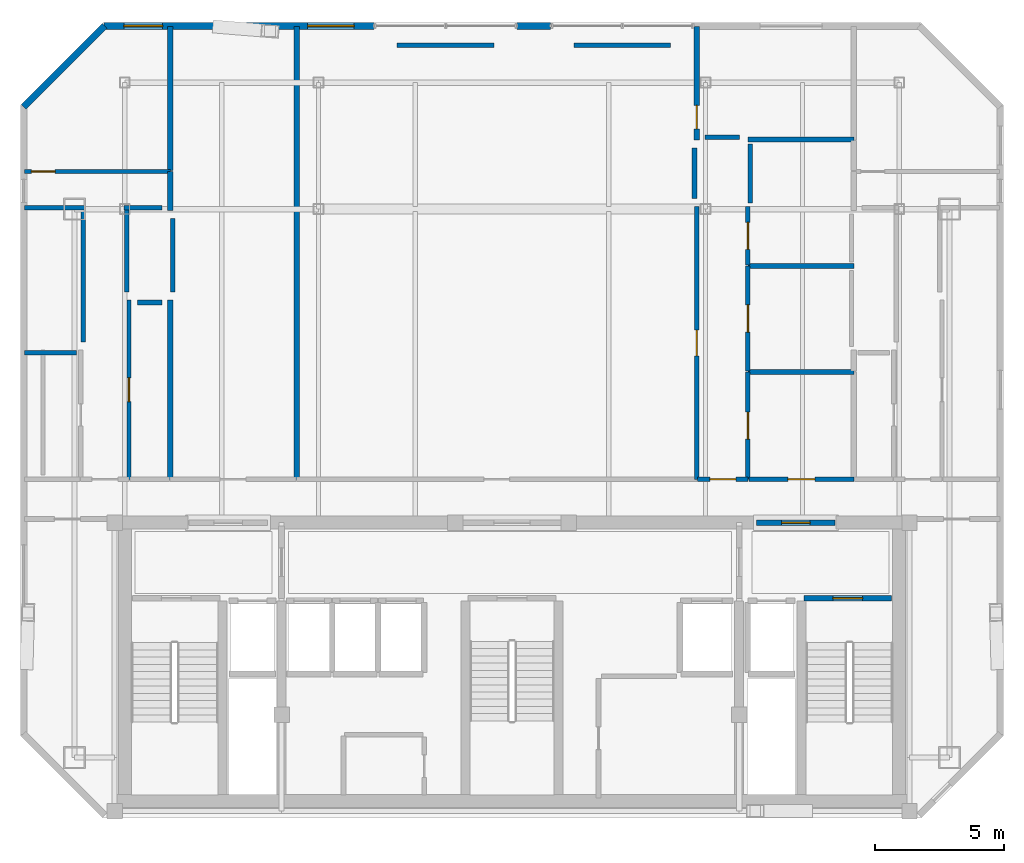
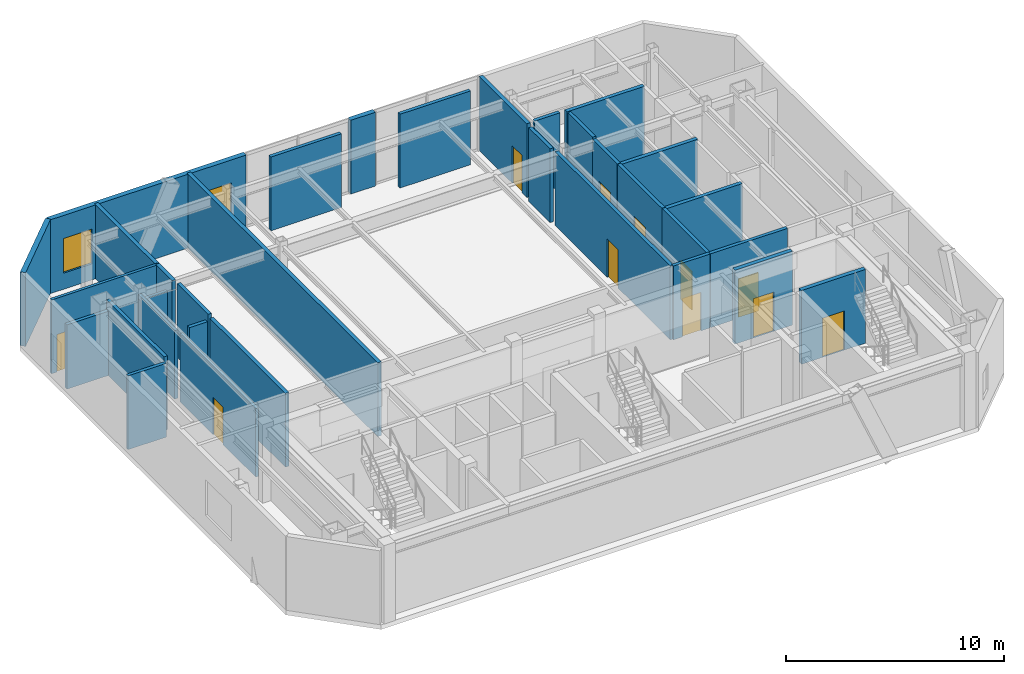
# One storey, part 7 of 10: 33 walls, 11 doors, 2 windows, 13 openings.
"""IFC4 building model written with IfcOpenShell, lengths in metres."""

from ifc_helpers import new_model, si_unit, direction, frame, frame_2d, origin, place, context, subcontext, project, spatial, rectangle, extrude, material, layer, layer_set, type_object, element, fill, save


model = new_model("IFC4")

# Units and contexts
model_context = context("Model", 3, precision=1e-05, world=origin(), true_north=direction((0.0, 1.0)))
body_context = subcontext(model_context, "Body", "Model", "MODEL_VIEW")
ifc_project = project(units=[si_unit("LENGTHUNIT", "METRE"), si_unit("AREAUNIT", "SQUARE_METRE"), si_unit("VOLUMEUNIT", "CUBIC_METRE"), si_unit("PLANEANGLEUNIT", "RADIAN"), si_unit("MASSUNIT", "GRAM", prefix="KILO")], contexts=[model_context])

# Site, building, storey
site_placement = place(None, origin())
site = spatial("IfcSite", under=ifc_project, at=site_placement, CompositionType="ELEMENT")
building_placement = place(site_placement, origin())
building = spatial("IfcBuilding", under=site, at=building_placement, Name="Ventersveld Concourse Tower", CompositionType="ELEMENT")
storey_placement = place(building_placement, frame((0.0, 0.0, 357.85009765625)))
storey = spatial("IfcBuildingStorey", under=building, at=storey_placement, Name="L88", CompositionType="ELEMENT", Elevation=357.85009765625)

# Wall, opening, door
ifc_material_1 = material(Name="Fire-rated autoclaved aerated masonry blockwork", Category="masonry")
ifc_layer_1 = layer(ifc_material_1, 0.179931640625)
ifc_layer_set_1 = layer_set([ifc_layer_1], Name="Fire-rated autoclaved aerated masonry blockwork")
wall_type_1 = type_object("IfcWallType", Name="WL-CORR-180", PredefinedType="PARTITIONING", material=ifc_layer_set_1)
wall_1_placement = place(storey_placement, frame((35.945068359375, 13.135009765625, 0.0), z_axis=(0.0, 0.0, 1.0), x_axis=(1.0, 0.0, 0.0)))
wall_1 = element("IfcWall", 1, at=wall_1_placement, inside=storey, type_object=wall_type_1, Name="L88 Interior Partition SP-L88-COR-SP-L88-WCLOB", PredefinedType="PARTITIONING", context=body_context, shape_type="SweptSolid", body=[
    extrude(rectangle(XDim=1.949951171875, YDim=0.179931640625, at=frame_2d((0.97509765625, 0.0))), origin(), (0.0, 0.0, 1.0), 4.139892578125),
])
opening_1_placement = place(wall_1_placement, frame((0.47509765625, 0.0, 0.0)))
opening_1 = element("IfcOpeningElement", 2, at=opening_1_placement, cuts=wall_1, Name="Opening FD3", PredefinedType="OPENING", context=body_context, shape_type="SweptSolid", body=[
    extrude(rectangle(XDim=1.0, YDim=2.14990234375, at=frame_2d((0.5, 1.074951171875))), frame((0.0, 0.10009765625, 0.0), z_axis=(0.0, -1.0, 0.0), x_axis=(1.0, 0.0, 0.0)), (0.0, 0.0, 1.0), 0.199951171875),
])
ifc_material_2 = material(Name="Solid-core hardwood veneer timber", Category="wood")
door_type_1 = type_object("IfcDoorType", Name="DR-FLAT-100", OperationType="NOTDEFINED", PredefinedType="DOOR", material=ifc_material_2)
door_1_placement = place(opening_1_placement, origin())
door_1 = element("IfcDoor", 3, at=door_1_placement, inside=storey, type_object=door_type_1, Name="L88 Interior Door SP-L88-COR to SP-L88-WCLOB (D-L88-3913)", OperationType="SINGLE_SWING_LEFT", OverallHeight=2.14990234375, OverallWidth=1.0, PredefinedType="DOOR", context=body_context, shape_type="SweptSolid", body=[
    extrude(rectangle(XDim=1.0, YDim=2.14990234375, at=frame_2d((0.5, 1.074951171875))), frame((0.0, 0.02490234375, 0.0), z_axis=(0.0, -1.0, 0.0), x_axis=(1.0, 0.0, 0.0)), (0.0, 0.0, 1.0), 0.050048828125),
])
fill(opening_1, door_1)

wall_2_placement = place(storey_placement, frame((37.925048828125, 13.135009765625, 0.0), z_axis=(0.0, 0.0, 1.0), x_axis=(1.0, 0.0, 0.0)))
wall_2 = element("IfcWall", 4, at=wall_2_placement, inside=storey, type_object=wall_type_1, Name="L88 Interior Partition SP-L88-COR-SP-L88-MWC", PredefinedType="PARTITIONING", context=body_context, shape_type="SweptSolid", body=[
    extrude(rectangle(XDim=4.070068359375, YDim=0.179931640625, at=frame_2d((2.03515625, 0.0))), origin(), (0.0, 0.0, 1.0), 4.139892578125),
])
opening_2_placement = place(wall_2_placement, frame((1.510009765625, 0.0, 0.0)))
opening_2 = element("IfcOpeningElement", 5, at=opening_2_placement, cuts=wall_2, Name="Opening ID3", PredefinedType="OPENING", context=body_context, shape_type="SweptSolid", body=[
    extrude(rectangle(XDim=1.050048828125, YDim=2.14990234375, at=frame_2d((0.52490234375, 1.074951171875))), frame((0.0, 0.10009765625, 0.0), z_axis=(0.0, -1.0, 0.0), x_axis=(1.0, 0.0, 0.0)), (0.0, 0.0, 1.0), 0.199951171875),
])
door_type_2 = type_object("IfcDoorType", Name="DR-AWC-105", OperationType="NOTDEFINED", PredefinedType="DOOR", material=ifc_material_2)
door_2_placement = place(opening_2_placement, origin())
door_2 = element("IfcDoor", 6, at=door_2_placement, inside=storey, type_object=door_type_2, Name="L88 Interior Door SP-L88-COR to SP-L88-MWC (WD-L88-3914)", OperationType="SINGLE_SWING_RIGHT", OverallHeight=2.14990234375, OverallWidth=1.050048828125, PredefinedType="DOOR", context=body_context, shape_type="SweptSolid", body=[
    extrude(rectangle(XDim=1.050048828125, YDim=2.14990234375, at=frame_2d((0.52490234375, 1.074951171875))), frame((0.0, 0.02490234375, 0.0), z_axis=(0.0, -1.0, 0.0), x_axis=(1.0, 0.0, 0.0)), (0.0, 0.0, 1.0), 0.050048828125),
])
fill(opening_2, door_2)

wall_3_placement = place(storey_placement, frame((35.909912109375, 13.125, 0.0), z_axis=(0.0, 0.0, 1.0), x_axis=(0.0, 1.0, 0.0)))
wall_3 = element("IfcWall", 7, at=wall_3_placement, inside=storey, type_object=wall_type_1, Name="L88 Interior Partition SP-L88-SLNG-SP-L88-WCLOB", PredefinedType="PARTITIONING", context=body_context, shape_type="SweptSolid", body=[
    extrude(rectangle(XDim=10.570068359375, YDim=0.179931640625, at=frame_2d((5.28515625, 0.0))), origin(), (0.0, 0.0, 1.0), 4.139892578125),
])
opening_3_placement = place(wall_3_placement, frame((4.784912109375, 0.0, 0.0)))
opening_3 = element("IfcOpeningElement", 8, at=opening_3_placement, cuts=wall_3, Name="Opening FD3", PredefinedType="OPENING", context=body_context, shape_type="SweptSolid", body=[
    extrude(rectangle(XDim=1.0, YDim=2.14990234375, at=frame_2d((0.5, 1.074951171875))), frame((0.0, 0.10009765625, 0.0), z_axis=(0.0, -1.0, 0.0), x_axis=(1.0, 0.0, 0.0)), (0.0, 0.0, 1.0), 0.199951171875),
])
door_3_placement = place(opening_3_placement, origin())
door_3 = element("IfcDoor", 9, at=door_3_placement, inside=storey, type_object=door_type_1, Name="L88 Interior Door SP-L88-SLNG to SP-L88-WCLOB (D-L88-3918)", OperationType="SINGLE_SWING_RIGHT", OverallHeight=2.14990234375, OverallWidth=1.0, PredefinedType="DOOR", context=body_context, shape_type="SweptSolid", body=[
    extrude(rectangle(XDim=1.0, YDim=2.14990234375, at=frame_2d((0.5, 1.074951171875))), frame((0.0, 0.02490234375, 0.0), z_axis=(0.0, -1.0, 0.0), x_axis=(1.0, 0.0, 0.0)), (0.0, 0.0, 1.0), 0.050048828125),
])
fill(opening_3, door_3)

wall_4_placement = place(storey_placement, frame((37.889892578125, 13.125, 0.0), z_axis=(0.0, 0.0, 1.0), x_axis=(0.0, 1.0, 0.0)))
wall_4 = element("IfcWall", 10, at=wall_4_placement, inside=storey, type_object=wall_type_1, Name="L88 Interior Partition SP-L88-WCLOB-SP-L88-MWC", PredefinedType="PARTITIONING", context=body_context, shape_type="SweptSolid", body=[
    extrude(rectangle(XDim=4.169921875, YDim=0.179931640625, at=frame_2d((2.0849609375, 0.0))), origin(), (0.0, 0.0, 1.0), 4.139892578125),
])
opening_4_placement = place(wall_4_placement, frame((1.56005859375, 0.0, 0.0)))
opening_4 = element("IfcOpeningElement", 11, at=opening_4_placement, cuts=wall_4, Name="Opening ID3", PredefinedType="OPENING", context=body_context, shape_type="SweptSolid", body=[
    extrude(rectangle(XDim=1.050048828125, YDim=2.14990234375, at=frame_2d((0.52490234375, 1.074951171875))), frame((0.0, 0.10009765625, 0.0), z_axis=(0.0, -1.0, 0.0), x_axis=(1.0, 0.0, 0.0)), (0.0, 0.0, 1.0), 0.199951171875),
])
door_4_placement = place(opening_4_placement, origin())
door_4 = element("IfcDoor", 12, at=door_4_placement, inside=storey, type_object=door_type_2, Name="L88 Interior Door SP-L88-WCLOB to SP-L88-MWC (WD-L88-3919)", OperationType="SINGLE_SWING_LEFT", OverallHeight=2.14990234375, OverallWidth=1.050048828125, PredefinedType="DOOR", context=body_context, shape_type="SweptSolid", body=[
    extrude(rectangle(XDim=1.050048828125, YDim=2.14990234375, at=frame_2d((0.52490234375, 1.074951171875))), frame((0.0, 0.02490234375, 0.0), z_axis=(0.0, -1.0, 0.0), x_axis=(1.0, 0.0, 0.0)), (0.0, 0.0, 1.0), 0.050048828125),
])
fill(opening_4, door_4)

wall_5_placement = place(storey_placement, frame((37.889892578125, 17.324951171875, 0.0), z_axis=(0.0, 0.0, 1.0), x_axis=(0.0, 1.0, 0.0)))
wall_5 = element("IfcWall", 13, at=wall_5_placement, inside=storey, type_object=wall_type_1, Name="L88 Interior Partition SP-L88-WCLOB-SP-L88-FWC", PredefinedType="PARTITIONING", context=body_context, shape_type="SweptSolid", body=[
    extrude(rectangle(XDim=4.070068359375, YDim=0.179931640625, at=frame_2d((2.03515625, 0.0))), origin(), (0.0, 0.0, 1.0), 4.139892578125),
])
opening_5_placement = place(wall_5_placement, frame((1.510009765625, 0.0, 0.0)))
opening_5 = element("IfcOpeningElement", 14, at=opening_5_placement, cuts=wall_5, Name="Opening ID3", PredefinedType="OPENING", context=body_context, shape_type="SweptSolid", body=[
    extrude(rectangle(XDim=1.050048828125, YDim=2.14990234375, at=frame_2d((0.52490234375, 1.074951171875))), frame((0.0, 0.10009765625, 0.0), z_axis=(0.0, -1.0, 0.0), x_axis=(1.0, 0.0, 0.0)), (0.0, 0.0, 1.0), 0.199951171875),
])
door_5_placement = place(opening_5_placement, origin())
door_5 = element("IfcDoor", 15, at=door_5_placement, inside=storey, type_object=door_type_2, Name="L88 Interior Door SP-L88-WCLOB to SP-L88-FWC (WD-L88-3920)", OperationType="SINGLE_SWING_RIGHT", OverallHeight=2.14990234375, OverallWidth=1.050048828125, PredefinedType="DOOR", context=body_context, shape_type="SweptSolid", body=[
    extrude(rectangle(XDim=1.050048828125, YDim=2.14990234375, at=frame_2d((0.52490234375, 1.074951171875))), frame((0.0, 0.02490234375, 0.0), z_axis=(0.0, -1.0, 0.0), x_axis=(1.0, 0.0, 0.0)), (0.0, 0.0, 1.0), 0.050048828125),
])
fill(opening_5, door_5)

wall_6_placement = place(storey_placement, frame((37.889892578125, 21.425048828125, 0.0), z_axis=(0.0, 0.0, 1.0), x_axis=(0.0, 1.0, 0.0)))
wall_6 = element("IfcWall", 16, at=wall_6_placement, inside=storey, type_object=wall_type_1, Name="L88 Interior Partition SP-L88-WCLOB-SP-L88-AWC", PredefinedType="PARTITIONING", context=body_context, shape_type="SweptSolid", body=[
    extrude(rectangle(XDim=2.27001953125, YDim=0.179931640625, at=frame_2d((1.135009765625, 0.0))), origin(), (0.0, 0.0, 1.0), 4.139892578125),
])
opening_6_placement = place(wall_6_placement, frame((0.610107421875, 0.0, 0.0)))
opening_6 = element("IfcOpeningElement", 17, at=opening_6_placement, cuts=wall_6, Name="Opening ID3", PredefinedType="OPENING", context=body_context, shape_type="SweptSolid", body=[
    extrude(rectangle(XDim=1.050048828125, YDim=2.14990234375, at=frame_2d((0.52490234375, 1.074951171875))), frame((0.0, 0.10009765625, 0.0), z_axis=(0.0, -1.0, 0.0), x_axis=(1.0, 0.0, 0.0)), (0.0, 0.0, 1.0), 0.199951171875),
])
door_6_placement = place(opening_6_placement, origin())
door_6 = element("IfcDoor", 18, at=door_6_placement, inside=storey, type_object=door_type_2, Name="L88 Interior Door SP-L88-WCLOB to SP-L88-AWC (WD-L88-3921)", OperationType="SINGLE_SWING_LEFT", OverallHeight=2.14990234375, OverallWidth=1.050048828125, PredefinedType="DOOR", context=body_context, shape_type="SweptSolid", body=[
    extrude(rectangle(XDim=1.050048828125, YDim=2.14990234375, at=frame_2d((0.52490234375, 1.074951171875))), frame((0.0, 0.02490234375, 0.0), z_axis=(0.0, -1.0, 0.0), x_axis=(1.0, 0.0, 0.0)), (0.0, 0.0, 1.0), 0.050048828125),
])
fill(opening_6, door_6)

# Walls
for number, where, z_axis, x_axis, name in (
    (19, (24.302978515625, 29.945556640625, 0.0), (0.0, 0.0, 1.0), (1.0, 0.0, 0.0), "L88 Room Enclosure Wall SP-L88-SLNG"),
    (20, (31.153076171875, 29.945556640625, 0.0), (0.0, 0.0, 1.0), (1.0, 0.0, 0.0), "L88 Room Enclosure Wall SP-L88-SLNG"),
):
    element("IfcWall", number, at=place(storey_placement, frame(where, z_axis=z_axis, x_axis=x_axis)), inside=storey, type_object=wall_type_1, Name=name, PredefinedType="PARTITIONING", context=body_context, shape_type="SweptSolid", body=[
        extrude(rectangle(XDim=3.743896484375, YDim=0.179931640625, at=frame_2d((1.8720703125, 0.0))), origin(), (0.0, 0.0, 1.0), 4.139892578125),
    ])
wall_7_placement = place(storey_placement, frame((35.820068359375, 25.97021484375, 0.0), z_axis=(0.0, 0.0, 1.0), x_axis=(0.0, -1.0, 0.0)))
element("IfcWall", 21, at=wall_7_placement, inside=storey, type_object=wall_type_1, Name="L88 Room Enclosure Wall SP-L88-SLNG", PredefinedType="PARTITIONING", context=body_context, shape_type="SweptSolid", body=[
    extrude(rectangle(XDim=1.960205078125, YDim=0.179931640625, at=frame_2d((0.97998046875, 0.0))), origin(), (0.0, 0.0, 1.0), 4.139892578125),
])
wall_8_placement = place(storey_placement, frame((37.570068359375, 26.3798828125, 0.0), z_axis=(0.0, 0.0, 1.0), x_axis=(-1.0, 0.0, 0.0)))
element("IfcWall", 22, at=wall_8_placement, inside=storey, type_object=wall_type_1, Name="L88 Room Enclosure Wall SP-L88-NSTD", PredefinedType="PARTITIONING", context=body_context, shape_type="SweptSolid", body=[
    extrude(rectangle(XDim=1.3349609375, YDim=0.179931640625, at=frame_2d((0.66748046875, 0.0))), origin(), (0.0, 0.0, 1.0), 4.139892578125),
])
wall_9_placement = place(storey_placement, frame((15.60009765625, 20.390380859375, 0.0), z_axis=(0.0, 0.0, 1.0), x_axis=(0.0, 1.0, 0.0)))
element("IfcWall", 23, at=wall_9_placement, inside=storey, type_object=wall_type_1, Name="L88 Room Enclosure Wall SP-L88-DIN", PredefinedType="PARTITIONING", context=body_context, shape_type="SweptSolid", body=[
    extrude(rectangle(XDim=2.84521484375, YDim=0.179931640625, at=frame_2d((1.422607421875, 0.0))), origin(), (0.0, 0.0, 1.0), 4.139892578125),
])
wall_10_placement = place(storey_placement, frame((12.22900390625, 23.6455078125, 0.0), z_axis=(0.0, 0.0, 1.0), x_axis=(-1.0, 0.0, 0.0)))
element("IfcWall", 24, at=wall_10_placement, inside=storey, type_object=wall_type_1, Name="L88 Room Enclosure Wall SP-L88-88W-LIV", PredefinedType="PARTITIONING", context=body_context, shape_type="SweptSolid", body=[
    extrude(rectangle(XDim=2.37548828125, YDim=0.179931640625, at=frame_2d((1.187744140625, 0.0))), origin(), (0.0, 0.0, 1.0), 3.606689453125),
])
wall_11_placement = place(storey_placement, frame((15.18505859375, 23.6455078125, 0.0), z_axis=(0.0, 0.0, 1.0), x_axis=(-1.0, 0.0, 0.0)))
element("IfcWall", 25, at=wall_11_placement, inside=storey, type_object=wall_type_1, Name="L88 Room Enclosure Wall SP-L88-88W-LIV", PredefinedType="PARTITIONING", context=body_context, shape_type="SweptSolid", body=[
    extrude(rectangle(XDim=1.4599609375, YDim=0.179931640625, at=frame_2d((0.72998046875, 0.0))), origin(), (0.0, 0.0, 1.0), 3.606689453125),
])
wall_12_placement = place(storey_placement, frame((13.820068359375, 23.740478515625, 0.0), z_axis=(0.0, 0.0, 1.0), x_axis=(0.0, -1.0, 0.0)))
element("IfcWall", 26, at=wall_12_placement, inside=storey, type_object=wall_type_1, Name="L88 Room Enclosure Wall SP-L88-88W-LIV", PredefinedType="PARTITIONING", context=body_context, shape_type="SweptSolid", body=[
    extrude(rectangle(XDim=3.35009765625, YDim=0.179931640625, at=frame_2d((1.675048828125, 0.0))), origin(), (0.0, 0.0, 1.0), 3.83642578125),
])
wall_13_placement = place(storey_placement, frame((12.1337890625, 18.447509765625, 0.0), z_axis=(0.0, 0.0, 1.0), x_axis=(0.0, 1.0, 0.0)))
element("IfcWall", 27, at=wall_13_placement, inside=storey, type_object=wall_type_1, Name="L88 Room Enclosure Wall SP-L88-88W-LIV", PredefinedType="PARTITIONING", context=body_context, shape_type="SweptSolid", body=[
    extrude(rectangle(XDim=5.29296875, YDim=0.179931640625, at=frame_2d((2.646484375, 0.0))), origin(), (0.0, 0.0, 1.0), 4.139892578125),
])
wall_14_placement = place(storey_placement, frame((14.235107421875, 19.980712890625, 0.0), z_axis=(0.0, 0.0, 1.0), x_axis=(1.0, 0.0, 0.0)))
element("IfcWall", 28, at=wall_14_placement, inside=storey, type_object=wall_type_1, Name="L88 Room Enclosure Wall SP-L88-88W-KIT", PredefinedType="PARTITIONING", context=body_context, shape_type="SweptSolid", body=[
    extrude(rectangle(XDim=0.949951171875, YDim=0.179931640625, at=frame_2d((0.47509765625, 0.0))), origin(), (0.0, 0.0, 1.0), 4.139892578125),
])

# Wall, opening, door
ifc_layer_2 = layer(ifc_material_1, 0.199951171875)
ifc_layer_set_2 = layer_set([ifc_layer_2], Name="Fire-rated autoclaved aerated masonry blockwork")
wall_type_2 = type_object("IfcWallType", Name="WL-DEMISE-200", PredefinedType="PARTITIONING", material=ifc_layer_set_2)
wall_15_placement = place(storey_placement, frame((35.909912109375, 26.284912109375, 0.0), z_axis=(0.0, 0.0, 1.0), x_axis=(0.0, 1.0, 0.0)))
wall_15 = element("IfcWall", 29, at=wall_15_placement, inside=storey, type_object=wall_type_2, Name="L88 Interior Partition SP-L88-SLNG-SP-L88-NSTD", PredefinedType="PARTITIONING", context=body_context, shape_type="SweptSolid", body=[
    extrude(rectangle(XDim=4.39111328125, YDim=0.199951171875, at=frame_2d((2.195556640625, 0.0))), origin(), (0.0, 0.0, 1.0), 4.139892578125),
])
opening_7_placement = place(wall_15_placement, frame((0.418212890625, 0.0, 0.0)))
opening_7 = element("IfcOpeningElement", 30, at=opening_7_placement, cuts=wall_15, Name="Opening ID1", PredefinedType="OPENING", context=body_context, shape_type="SweptSolid", body=[
    extrude(rectangle(XDim=0.919921875, YDim=2.10009765625, at=frame_2d((0.4599609375, 1.050048828125))), frame((0.0, 0.10986328125, 0.0), z_axis=(0.0, -1.0, 0.0), x_axis=(1.0, 0.0, 0.0)), (0.0, 0.0, 1.0), 0.219970703125),
])
door_type_3 = type_object("IfcDoorType", Name="DR-ROOM-092", OperationType="NOTDEFINED", PredefinedType="DOOR", material=ifc_material_2)
door_7_placement = place(opening_7_placement, origin())
door_7 = element("IfcDoor", 31, at=door_7_placement, inside=storey, type_object=door_type_3, Name="L88 Interior Door SP-L88-SLNG to SP-L88-NSTD (D-L88-3917)", OperationType="SINGLE_SWING_LEFT", OverallHeight=2.10009765625, OverallWidth=0.919921875, PredefinedType="DOOR", context=body_context, shape_type="SweptSolid", body=[
    extrude(rectangle(XDim=0.919921875, YDim=2.10009765625, at=frame_2d((0.4599609375, 1.050048828125))), frame((0.0, 0.02490234375, 0.0), z_axis=(0.0, -1.0, 0.0), x_axis=(1.0, 0.0, 0.0)), (0.0, 0.0, 1.0), 0.050048828125),
])
fill(opening_7, door_7)

# Walls
wall_16_placement = place(storey_placement, frame((20.409912109375, 13.125, 0.0), z_axis=(0.0, 0.0, 1.0), x_axis=(0.0, 1.0, 0.0)))
element("IfcWall", 32, at=wall_16_placement, inside=storey, type_object=wall_type_2, Name="L88 Interior Partition SP-L88-SLNG-SP-L88-DIN", PredefinedType="PARTITIONING", context=body_context, shape_type="SweptSolid", body=[
    extrude(rectangle(XDim=17.551025390625, YDim=0.199951171875, at=frame_2d((8.775390625, 0.0))), origin(), (0.0, 0.0, 1.0), 4.139892578125),
])
wall_17_placement = place(storey_placement, frame((37.885009765625, 26.2900390625, 0.0), z_axis=(0.0, 0.0, 1.0), x_axis=(1.0, 0.0, 0.0)))
element("IfcWall", 33, at=wall_17_placement, inside=storey, type_object=wall_type_2, Name="L88 Interior Partition SP-L88-NSTD-SP-L88-AWC", PredefinedType="PARTITIONING", context=body_context, shape_type="SweptSolid", body=[
    extrude(rectangle(XDim=4.110107421875, YDim=0.199951171875, at=frame_2d((2.05517578125, 0.0))), origin(), (0.0, 0.0, 1.0), 4.139892578125),
])
wall_18_placement = place(storey_placement, frame((15.510009765625, 23.550537109375, 0.0), z_axis=(0.0, 0.0, 1.0), x_axis=(0.0, 1.0, 0.0)))
element("IfcWall", 34, at=wall_18_placement, inside=storey, type_object=wall_type_2, Name="L88 Interior Partition SP-L88-DIN-SP-L88-88W-LIV", PredefinedType="PARTITIONING", context=body_context, shape_type="SweptSolid", body=[
    extrude(rectangle(XDim=1.510009765625, YDim=0.199951171875, at=frame_2d((0.7548828125, 0.0))), origin(), (0.0, 0.0, 1.0), 4.139892578125),
])
wall_19_placement = place(storey_placement, frame((15.510009765625, 13.125, 0.0), z_axis=(0.0, 0.0, 1.0), x_axis=(0.0, 1.0, 0.0)))
element("IfcWall", 35, at=wall_19_placement, inside=storey, type_object=wall_type_2, Name="L88 Interior Partition SP-L88-DIN-SP-L88-88W-KIT", PredefinedType="PARTITIONING", context=body_context, shape_type="SweptSolid", body=[
    extrude(rectangle(XDim=6.95068359375, YDim=0.199951171875, at=frame_2d((3.475341796875, 0.0))), origin(), (0.0, 0.0, 1.0), 4.139892578125),
])
wall_20_placement = place(storey_placement, frame((15.510009765625, 25.090576171875, 0.0), z_axis=(0.0, 0.0, 1.0), x_axis=(0.0, 1.0, 0.0)))
element("IfcWall", 36, at=wall_20_placement, inside=storey, type_object=wall_type_2, Name="L88 Interior Partition SP-L88-DIN-SP-L88-88W-BR1", PredefinedType="PARTITIONING", context=body_context, shape_type="SweptSolid", body=[
    extrude(rectangle(XDim=5.58544921875, YDim=0.199951171875, at=frame_2d((2.792724609375, 0.0))), origin(), (0.0, 0.0, 1.0), 4.139892578125),
])
for number, where, z_axis, x_axis, name in (
    (37, (37.885009765625, 17.2900390625, 0.0), (0.0, 0.0, 1.0), (1.0, 0.0, 0.0), "L88 Interior Partition SP-L88-MWC-SP-L88-FWC"),
    (38, (37.885009765625, 21.389892578125, 0.0), (0.0, 0.0, 1.0), (1.0, 0.0, 0.0), "L88 Interior Partition SP-L88-FWC-SP-L88-AWC"),
):
    element("IfcWall", number, at=place(storey_placement, frame(where, z_axis=z_axis, x_axis=x_axis)), inside=storey, type_object=wall_type_2, Name=name, PredefinedType="PARTITIONING", context=body_context, shape_type="SweptSolid", body=[
        extrude(rectangle(XDim=4.110107421875, YDim=0.199951171875, at=frame_2d((2.05517578125, 0.0))), origin(), (0.0, 0.0, 1.0), 4.139892578125),
    ])

# Wall, opening, door
ifc_layer_3 = layer(ifc_material_1, 0.219970703125)
ifc_layer_set_3 = layer_set([ifc_layer_3], Name="Fire-rated autoclaved aerated masonry blockwork")
wall_type_3 = type_object("IfcWallType", Name="WL-HOIST-220", PredefinedType="SOLIDWALL", material=ifc_layer_set_3)
wall_21_placement = place(storey_placement, frame((40.06005859375, 8.52001953125, 0.0), z_axis=(0.0, 0.0, 1.0), x_axis=(1.0, 0.0, 0.0)))
wall_21 = element("IfcWall", 39, at=wall_21_placement, inside=storey, type_object=wall_type_3, Name="L88 Escape Stair ST02 Fire Wall", PredefinedType="SOLIDWALL", context=body_context, shape_type="SweptSolid", body=[
    extrude(rectangle(XDim=3.39990234375, YDim=0.219970703125, at=frame_2d((1.699951171875, 0.0))), origin(), (0.0, 0.0, 1.0), 4.139892578125),
])
opening_8_placement = place(wall_21_placement, frame((1.125, 0.0, 0.0)))
opening_8 = element("IfcOpeningElement", 40, at=opening_8_placement, cuts=wall_21, Name="Opening FD1", PredefinedType="OPENING", context=body_context, shape_type="SweptSolid", body=[
    extrude(rectangle(XDim=1.14990234375, YDim=2.199951171875, at=frame_2d((0.574951171875, 1.10009765625))), frame((0.0, 0.1201171875, 0.0), z_axis=(0.0, -1.0, 0.0), x_axis=(1.0, 0.0, 0.0)), (0.0, 0.0, 1.0), 0.239990234375),
])
ifc_material_3 = material(Name="Galvanised painted steel", Category="steel")
door_type_4 = type_object("IfcDoorType", Name="DR-STAIR-115", OperationType="NOTDEFINED", PredefinedType="DOOR", material=ifc_material_3)
door_8_placement = place(opening_8_placement, origin())
door_8 = element("IfcDoor", 41, at=door_8_placement, inside=storey, type_object=door_type_4, Name="L88 Escape Stair Door ST02 (SD-L88-3900)", OperationType="SINGLE_SWING_RIGHT", OverallHeight=2.199951171875, OverallWidth=1.14990234375, PredefinedType="DOOR", context=body_context, shape_type="SweptSolid", body=[
    extrude(rectangle(XDim=1.14990234375, YDim=2.199951171875, at=frame_2d((0.574951171875, 1.10009765625))), frame((0.0, 0.02490234375, 0.0), z_axis=(0.0, -1.0, 0.0), x_axis=(1.0, 0.0, 0.0)), (0.0, 0.0, 1.0), 0.050048828125),
])
fill(opening_8, door_8)

wall_22_placement = place(storey_placement, frame((38.22998046875, 11.449951171875, 0.0), z_axis=(0.0, 0.0, 1.0), x_axis=(1.0, 0.0, 0.0)))
wall_22 = element("IfcWall", 42, at=wall_22_placement, inside=storey, type_object=wall_type_3, Name="L88 Core North Fire Portal FFLE-OUT", PredefinedType="SOLIDWALL", context=body_context, shape_type="SweptSolid", body=[
    extrude(rectangle(XDim=3.0400390625, YDim=0.219970703125, at=frame_2d((1.52001953125, 0.0))), origin(), (0.0, 0.0, 1.0), 4.139892578125),
])
opening_9_placement = place(wall_22_placement, frame((0.969970703125, 0.0, 0.0)))
opening_9 = element("IfcOpeningElement", 43, at=opening_9_placement, cuts=wall_22, Name="Opening FD2", PredefinedType="OPENING", context=body_context, shape_type="SweptSolid", body=[
    extrude(rectangle(XDim=1.10009765625, YDim=2.199951171875, at=frame_2d((0.550048828125, 1.10009765625))), frame((0.0, 0.1201171875, 0.0), z_axis=(0.0, -1.0, 0.0), x_axis=(1.0, 0.0, 0.0)), (0.0, 0.0, 1.0), 0.239990234375),
])
door_type_5 = type_object("IfcDoorType", Name="DR-FFL-110", OperationType="NOTDEFINED", PredefinedType="DOOR", material=ifc_material_3)
door_9_placement = place(opening_9_placement, origin())
door_9 = element("IfcDoor", 44, at=door_9_placement, inside=storey, type_object=door_type_5, Name="L88 Core Lobby Fire Door FFLE-OUT (FD-L88-3906)", OperationType="SINGLE_SWING_LEFT", OverallHeight=2.199951171875, OverallWidth=1.10009765625, PredefinedType="DOOR", context=body_context, shape_type="SweptSolid", body=[
    extrude(rectangle(XDim=1.10009765625, YDim=2.199951171875, at=frame_2d((0.550048828125, 1.10009765625))), frame((0.0, 0.02490234375, 0.0), z_axis=(0.0, -1.0, 0.0), x_axis=(1.0, 0.0, 0.0)), (0.0, 0.0, 1.0), 0.050048828125),
])
fill(opening_9, door_9)

ifc_material_4 = material(Name="Autoclaved aerated masonry blockwork", Category="masonry")
ifc_layer_4 = layer(ifc_material_4, 0.14990234375)
ifc_layer_set_4 = layer_set([ifc_layer_4], Name="Autoclaved aerated masonry blockwork")
wall_type_4 = type_object("IfcWallType", Name="WL-INT-150", PredefinedType="PARTITIONING", material=ifc_layer_set_4)
wall_23_placement = place(storey_placement, frame((13.909912109375, 13.125, 0.0), z_axis=(0.0, 0.0, 1.0), x_axis=(0.0, 1.0, 0.0)))
wall_23 = element("IfcWall", 45, at=wall_23_placement, inside=storey, type_object=wall_type_4, Name="L88 Interior Partition SP-L88-88W-LIV-SP-L88-88W-KIT", PredefinedType="PARTITIONING", context=body_context, shape_type="SweptSolid", body=[
    extrude(rectangle(XDim=6.95068359375, YDim=0.14990234375, at=frame_2d((3.475341796875, 0.0))), origin(), (0.0, 0.0, 1.0), 3.83642578125),
])
opening_10_placement = place(wall_23_placement, frame((3.015380859375, 0.0, 0.0)))
opening_10 = element("IfcOpeningElement", 46, at=opening_10_placement, cuts=wall_23, Name="Opening ID1", PredefinedType="OPENING", context=body_context, shape_type="SweptSolid", body=[
    extrude(rectangle(XDim=0.919921875, YDim=2.10009765625, at=frame_2d((0.4599609375, 1.050048828125))), frame((0.0, 0.0849609375, 0.0), z_axis=(0.0, -1.0, 0.0), x_axis=(1.0, 0.0, 0.0)), (0.0, 0.0, 1.0), 0.169921875),
])
door_10_placement = place(opening_10_placement, origin())
door_10 = element("IfcDoor", 47, at=door_10_placement, inside=storey, type_object=door_type_3, Name="L88 Interior Door SP-L88-88W-LIV to SP-L88-88W-KIT (D-L88-3923)", OperationType="SINGLE_SWING_LEFT", OverallHeight=2.10009765625, OverallWidth=0.919921875, PredefinedType="DOOR", context=body_context, shape_type="SweptSolid", body=[
    extrude(rectangle(XDim=0.919921875, YDim=2.10009765625, at=frame_2d((0.4599609375, 1.050048828125))), frame((0.0, 0.02490234375, 0.0), z_axis=(0.0, -1.0, 0.0), x_axis=(1.0, 0.0, 0.0)), (0.0, 0.0, 1.0), 0.050048828125),
])
fill(opening_10, door_10)

wall_24_placement = place(storey_placement, frame((9.853515625, 25.0556640625, 0.0), z_axis=(0.0, 0.0, 1.0), x_axis=(1.0, 0.0, 0.0)))
wall_24 = element("IfcWall", 48, at=wall_24_placement, inside=storey, type_object=wall_type_4, Name="L88 Interior Partition SP-L88-88W-LIV-SP-L88-88W-BR1", PredefinedType="PARTITIONING", context=body_context, shape_type="SweptSolid", body=[
    extrude(rectangle(XDim=5.661376953125, YDim=0.14990234375, at=frame_2d((2.83056640625, 0.0))), origin(), (0.0, 0.0, 1.0), 4.139892578125),
])
opening_11_placement = place(wall_24_placement, frame((0.280029296875, 0.0, 0.0)))
opening_11 = element("IfcOpeningElement", 49, at=opening_11_placement, cuts=wall_24, Name="Opening ID1", PredefinedType="OPENING", context=body_context, shape_type="SweptSolid", body=[
    extrude(rectangle(XDim=0.919921875, YDim=2.10009765625, at=frame_2d((0.4599609375, 1.050048828125))), frame((0.0, 0.0849609375, 0.0), z_axis=(0.0, -1.0, 0.0), x_axis=(1.0, 0.0, 0.0)), (0.0, 0.0, 1.0), 0.169921875),
])
door_11_placement = place(opening_11_placement, origin())
door_11 = element("IfcDoor", 50, at=door_11_placement, inside=storey, type_object=door_type_3, Name="L88 Interior Door SP-L88-88W-LIV to SP-L88-88W-BR1 (D-L88-3924)", OperationType="SINGLE_SWING_RIGHT", OverallHeight=2.10009765625, OverallWidth=0.919921875, PredefinedType="DOOR", context=body_context, shape_type="SweptSolid", body=[
    extrude(rectangle(XDim=0.919921875, YDim=2.10009765625, at=frame_2d((0.4599609375, 1.050048828125))), frame((0.0, 0.02490234375, 0.0), z_axis=(0.0, -1.0, 0.0), x_axis=(1.0, 0.0, 0.0)), (0.0, 0.0, 1.0), 0.050048828125),
])
fill(opening_11, door_11)

# Wall
ifc_material_5 = material(Name="Precast concrete C45/55", Category="concrete")
ifc_layer_5 = layer(ifc_material_5, 0.260009765625)
ifc_layer_set_5 = layer_set([ifc_layer_5], Name="Precast concrete C45/55")
wall_type_5 = type_object("IfcWallType", Name="WL-PREC-260", PredefinedType="SOLIDWALL", material=ifc_layer_set_5)
wall_25_placement = place(storey_placement, frame((30.25, 30.695556640625, 0.0), z_axis=(0.0, 0.0, 1.0), x_axis=(-1.0, 0.0, 0.0)))
element("IfcWall", 51, at=wall_25_placement, inside=storey, type_object=wall_type_5, Name="L88 Observatory Central Precast Pier", PredefinedType="SOLIDWALL", context=body_context, shape_type="SweptSolid", body=[
    extrude(rectangle(XDim=1.300048828125, YDim=0.260009765625, at=frame_2d((0.64990234375, 0.0))), origin(), (0.0, 0.0, 1.0), 4.139892578125),
])

# Wall, openings, windows
wall_26_placement = place(storey_placement, frame((23.39990234375, 30.695556640625, 0.0), z_axis=(0.0, 0.0, 1.0), x_axis=(-1.0, 0.0, 0.0)))
wall_26 = element("IfcWall", 52, at=wall_26_placement, inside=storey, type_object=wall_type_5, Name="L88 North-West Precast Pier Wall", PredefinedType="SOLIDWALL", context=body_context, shape_type="SweptSolid", body=[
    extrude(rectangle(XDim=10.4560546875, YDim=0.260009765625, at=frame_2d((5.22802734375, 0.0))), origin(), (0.0, 0.0, 1.0), 4.139892578125),
])
opening_12_placement = place(wall_26_placement, frame((0.77001953125, 0.0, 0.85009765625)))
opening_12 = element("IfcOpeningElement", 53, at=opening_12_placement, cuts=wall_26, Name="Opening W2", PredefinedType="OPENING", context=body_context, shape_type="SweptSolid", body=[
    extrude(rectangle(XDim=1.800048828125, YDim=2.0, at=frame_2d((0.89990234375, 1.0))), frame((0.0, 0.14013671875, 0.0), z_axis=(0.0, -1.0, 0.0), x_axis=(1.0, 0.0, 0.0)), (0.0, 0.0, 1.0), 0.280029296875),
])
opening_13_placement = place(wall_26_placement, frame((8.18603515625, 0.0, 0.89990234375)))
opening_13 = element("IfcOpeningElement", 54, at=opening_13_placement, cuts=wall_26, Name="Opening W1", PredefinedType="OPENING", context=body_context, shape_type="SweptSolid", body=[
    extrude(rectangle(XDim=1.5, YDim=1.949951171875, at=frame_2d((0.75, 0.97509765625))), frame((0.0, 0.14013671875, 0.0), z_axis=(0.0, -1.0, 0.0), x_axis=(1.0, 0.0, 0.0)), (0.0, 0.0, 1.0), 0.280029296875),
])
ifc_material_6 = material(Name="Tempered acoustic Low-E IGU", Category="glass")
window_type_1 = type_object("IfcWindowType", Name="WIN-150x210", PartitioningType="SINGLE_PANEL", PredefinedType="WINDOW", material=ifc_material_6)
window_1_placement = place(opening_13_placement, origin())
window_1 = element("IfcWindow", 55, at=window_1_placement, inside=storey, type_object=window_type_1, Name="L88 Punched Low-E Window W-1235", OverallHeight=1.949951171875, OverallWidth=1.5, PartitioningType="SINGLE_PANEL", PredefinedType="WINDOW", context=body_context, shape_type="SweptSolid", body=[
    extrude(rectangle(XDim=1.5, YDim=1.949951171875, at=frame_2d((0.75, 0.97509765625))), frame((0.0, 0.030029296875, 0.0), z_axis=(0.0, -1.0, 0.0), x_axis=(1.0, 0.0, 0.0)), (0.0, 0.0, 1.0), 0.06005859375),
])
fill(opening_13, window_1)
window_type_2 = type_object("IfcWindowType", Name="WIN-180x210", PartitioningType="SINGLE_PANEL", PredefinedType="WINDOW", material=ifc_material_6)
window_2_placement = place(opening_12_placement, origin())
window_2 = element("IfcWindow", 56, at=window_2_placement, inside=storey, type_object=window_type_2, Name="L88 Punched Low-E Window W-1232", OverallHeight=2.0, OverallWidth=1.800048828125, PartitioningType="SINGLE_PANEL", PredefinedType="WINDOW", context=body_context, shape_type="SweptSolid", body=[
    extrude(rectangle(XDim=1.800048828125, YDim=2.0, at=frame_2d((0.89990234375, 1.0))), frame((0.0, 0.030029296875, 0.0), z_axis=(0.0, -1.0, 0.0), x_axis=(1.0, 0.0, 0.0)), (0.0, 0.0, 1.0), 0.06005859375),
])
fill(opening_12, window_2)

# Walls
wall_27_placement = place(storey_placement, frame((12.967529296875, 30.705322265625, 0.0), z_axis=(0.0, 0.0, 1.0), x_axis=(-0.707106781187, -0.707106781187, 0.0)))
element("IfcWall", 57, at=wall_27_placement, inside=storey, type_object=wall_type_5, Name="L88 Highveld Precast Facade Wall E06", PredefinedType="SOLIDWALL", context=body_context, shape_type="SweptSolid", body=[
    extrude(rectangle(XDim=4.4453125, YDim=0.260009765625, at=frame_2d((2.22265625, 0.0))), origin(), (0.0, 0.0, 1.0), 4.139892578125),
])
ifc_layer_6 = layer(ifc_material_4, 0.1650390625)
ifc_layer_set_6 = layer_set([ifc_layer_6], Name="Autoclaved aerated masonry blockwork")
wall_type_6 = type_object("IfcWallType", Name="WL-WET-165", PredefinedType="PLUMBINGWALL", material=ifc_layer_set_6)
wall_28_placement = place(storey_placement, frame((37.97998046875, 23.843505859375, 0.0), z_axis=(0.0, 0.0, 1.0), x_axis=(0.0, 1.0, 0.0)))
element("IfcWall", 58, at=wall_28_placement, inside=storey, type_object=wall_type_6, Name="L88 Room Enclosure Wall SP-L88-AWC", PredefinedType="PLUMBINGWALL", context=body_context, shape_type="SweptSolid", body=[
    extrude(rectangle(XDim=2.281494140625, YDim=0.1650390625, at=frame_2d((1.140625, 0.0))), origin(), (0.0, 0.0, 1.0), 4.139892578125),
])
wall_29_placement = place(storey_placement, frame((9.853515625, 18.03759765625, 0.0), z_axis=(0.0, 0.0, 1.0), x_axis=(1.0, 0.0, 0.0)))
element("IfcWall", 59, at=wall_29_placement, inside=storey, type_object=wall_type_6, Name="L88 Room Enclosure Wall SP-L88-88W-BATH", PredefinedType="PLUMBINGWALL", context=body_context, shape_type="SweptSolid", body=[
    extrude(rectangle(XDim=2.025390625, YDim=0.1650390625, at=frame_2d((1.0126953125, 0.0))), origin(), (0.0, 0.0, 1.0), 4.139892578125),
])

save(model, "model.ifc")
